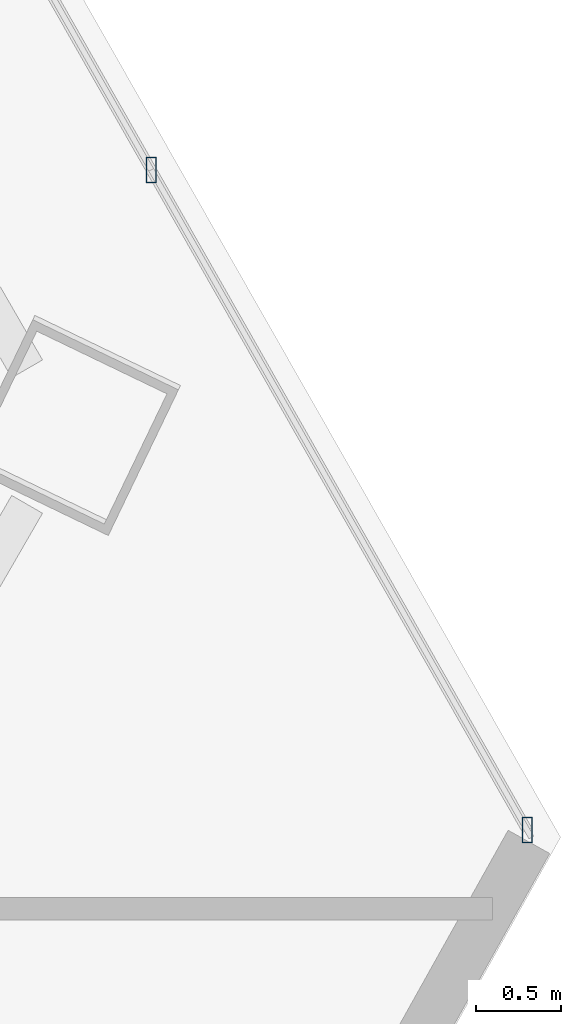
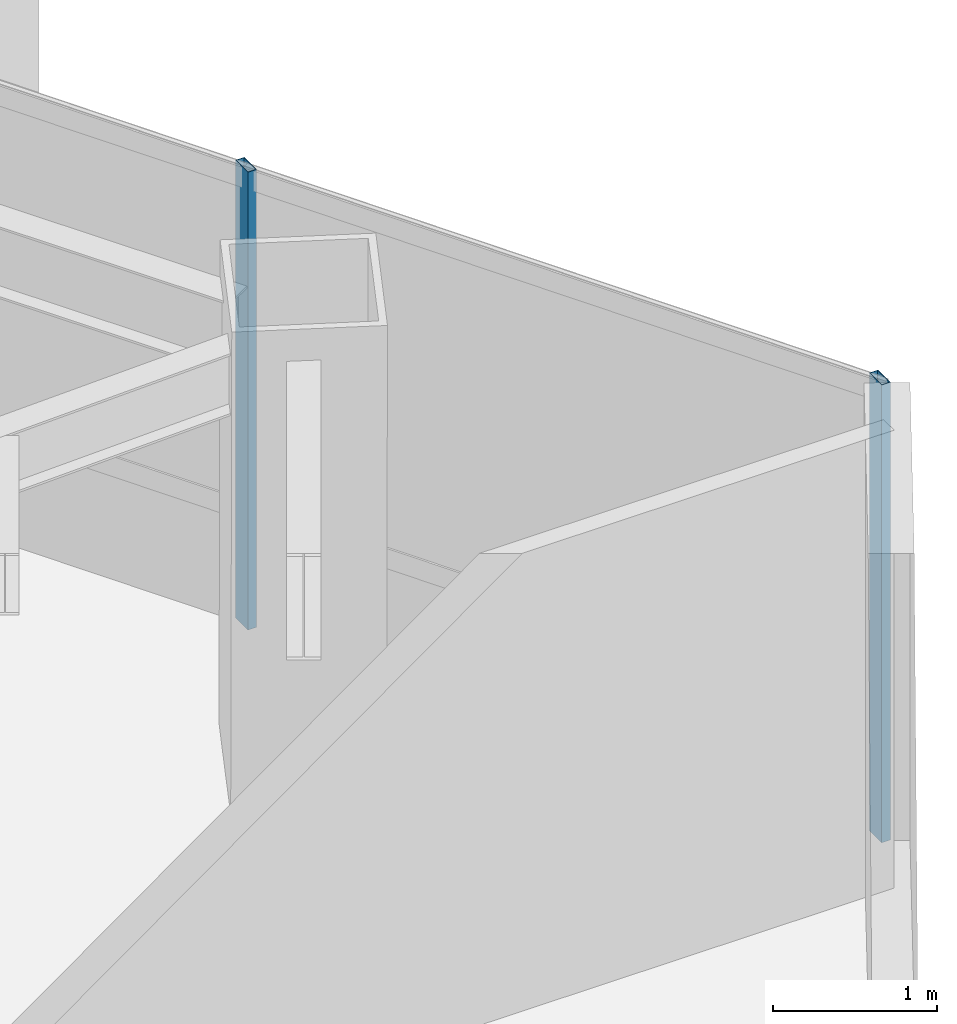
# One storey, part 21 of 38: 2 members, 1 element without a shape of its own.
"""IFC4 building model written with IfcOpenShell, lengths in metres."""

from ifc_helpers import new_model, si_unit, direction, frame, origin, origin_2d, place, context, subcontext, project, spatial, hollow_rectangle, extrude, source, transform, mapped, material, material_profile, profile_set, type_object, type_shapes, element, aggregate, save


model = new_model("IFC4")

# Units and contexts
model_context = context("Model", 3, precision=1e-05, world=origin(), true_north=direction((0.0, 1.0)))
body_context = subcontext(model_context, "Body", "Model", "MODEL_VIEW")
ifc_project = project(units=[si_unit("LENGTHUNIT", "METRE"), si_unit("AREAUNIT", "SQUARE_METRE"), si_unit("VOLUMEUNIT", "CUBIC_METRE"), si_unit("PLANEANGLEUNIT", "RADIAN"), si_unit("MASSUNIT", "GRAM", prefix="KILO")], contexts=[model_context])

# Site, building, storey
site_placement = place(None, origin())
site = spatial("IfcSite", under=ifc_project, at=site_placement, CompositionType="ELEMENT")
building_placement = place(site_placement, origin())
building = spatial("IfcBuilding", under=site, at=building_placement, Name="Caelisora Broadcast Tower", CompositionType="ELEMENT")
storey_placement = place(building_placement, frame((0.0, 0.0, 158.5)))
storey = spatial("IfcBuildingStorey", under=building, at=storey_placement, Name="L41", CompositionType="ELEMENT", Elevation=158.5)

# Curtain wall, members
ifc_material_1 = material(Name="Unitised Aluminium and Low-E Glass Curtain Wall", Category="glass")
curtain_wall_type = type_object("IfcCurtainWallType", Name="CW-Z3", PredefinedType="NOTDEFINED", material=ifc_material_1)
curtain_wall_placement = place(storey_placement, origin())
curtain_wall = element("IfcCurtainWall", 1, at=curtain_wall_placement, inside=storey, type_object=curtain_wall_type, Name="L41 curtain wall CW-Z3", PredefinedType="NOTDEFINED")
ifc_material_2 = material(Name="Aluminium 6063-T6 Anodised Terracotta Bronze", Category="aluminium")
ifc_material_profile = material_profile(ifc_material_2, hollow_rectangle(XDim=0.06005859375, YDim=0.14990234375, WallThickness=0.00341796875, at=origin_2d()), Name="Aluminium 6063-T6 Anodised Terracotta Bronze")
ifc_profile_set = profile_set([ifc_material_profile], Name="Aluminium 6063-T6 Anodised Terracotta Bronze")
member_type = type_object("IfcMemberType", Name="CWM-03", PredefinedType="MULLION", material=ifc_profile_set)
shared_shape = source(origin(), body_context, "Body", "SweptSolid", [
    extrude(hollow_rectangle(XDim=0.06005859375, YDim=0.14990234375, WallThickness=0.00341796875, at=origin_2d()), origin(), (0.0, 0.0, 1.0), 3.39990234375),
])
type_shapes(member_type, [shared_shape])
member_1_placement = place(storey_placement, frame((61.041748046875, 19.59423828125, 0.0), z_axis=(0.0, 0.0, 1.0), x_axis=(1.0, 0.0, 0.0)))
member_1 = element("IfcMember", 2, at=member_1_placement, type_object=member_type, Name="L41-CW-B03 mullion #2", PredefinedType="MULLION", context=body_context, shape_type="MappedRepresentation", body=[
    mapped(shared_shape, transform((0.0, 0.0, 0.0), scale=1.0)),
])
member_2_placement = place(storey_placement, frame((63.252197265625, 15.71240234375, 0.0), z_axis=(0.0, 0.0, 1.0), x_axis=(1.0, 0.0, 0.0)))
member_2 = element("IfcMember", 3, at=member_2_placement, type_object=member_type, Name="L41-CW-B03 mullion #3", PredefinedType="MULLION", context=body_context, shape_type="MappedRepresentation", body=[
    mapped(shared_shape, transform((0.0, 0.0, 0.0), scale=1.0)),
])
aggregate(curtain_wall, [member_1, member_2])

save(model, "model.ifc")
